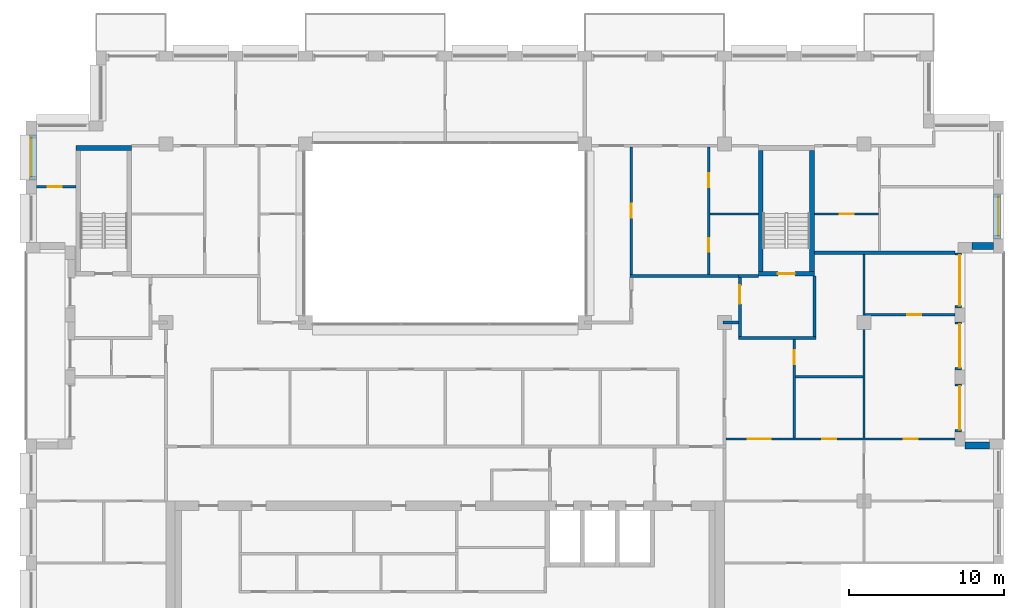
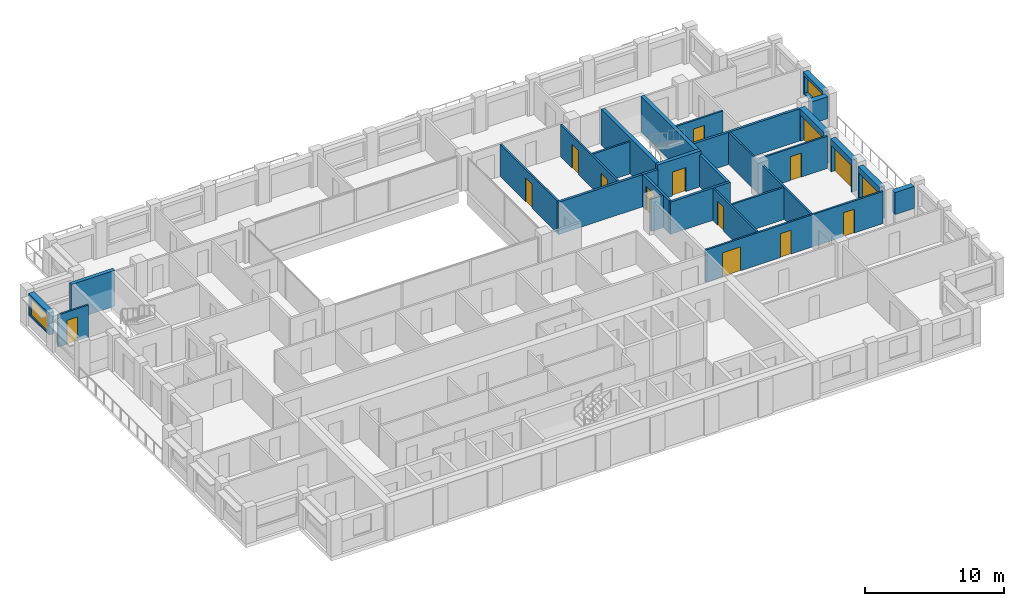
# One storey, part 12 of 15: 28 walls, 15 doors, 2 windows, 17 openings.
"""IFC4 building model written with IfcOpenShell, lengths in metres."""

from ifc_helpers import new_model, si_unit, direction, frame, frame_2d, origin, place, context, subcontext, project, spatial, rectangle, extrude, material, layer, layer_set, type_object, element, fill, save


model = new_model("IFC4")

# Units and contexts
model_context = context("Model", 3, precision=1e-05, world=origin(), true_north=direction((0.0, 1.0)))
body_context = subcontext(model_context, "Body", "Model", "MODEL_VIEW")
ifc_project = project(units=[si_unit("LENGTHUNIT", "METRE"), si_unit("AREAUNIT", "SQUARE_METRE"), si_unit("VOLUMEUNIT", "CUBIC_METRE"), si_unit("PLANEANGLEUNIT", "RADIAN"), si_unit("MASSUNIT", "GRAM", prefix="KILO")], contexts=[model_context])

# Site, building, storey
site_placement = place(None, origin())
site = spatial("IfcSite", under=ifc_project, at=site_placement, CompositionType="ELEMENT")
building_placement = place(site_placement, origin())
building = spatial("IfcBuilding", under=site, at=building_placement, Name="Brigalow Station Residences", CompositionType="ELEMENT")
storey_placement = place(building_placement, frame((0.0, 0.0, 207.449951171875)))
storey = spatial("IfcBuildingStorey", under=building, at=storey_placement, Name="L59", CompositionType="ELEMENT", Elevation=207.449951171875)

# Wall
ifc_material_1 = material(Name="Clay brick masonry", Category="masonry")
ifc_layer_1 = layer(ifc_material_1, 0.449951171875)
ifc_layer_set_1 = layer_set([ifc_layer_1], Name="BRICK INFILL WALL 450")
wall_type_1 = type_object("IfcWallType", Name="BRICK INFILL WALL 450", PredefinedType="SOLIDWALL", material=ifc_layer_set_1)
wall_1_placement = place(storey_placement, frame((71.10009765625, 16.074951171875, 0.900146484375), z_axis=(0.0, 0.0, 1.0), x_axis=(-1.0, 0.0, 0.0)))
element("IfcWall", 1, at=wall_1_placement, inside=storey, type_object=wall_type_1, Name="L59/ewall/W-L59-11", PredefinedType="SOLIDWALL", context=body_context, shape_type="SweptSolid", body=[
    extrude(rectangle(XDim=1.60009765625, YDim=0.449951171875, at=frame_2d((0.800048828125, 0.0))), origin(), (0.0, 0.0, 1.0), 1.929931640625),
])

# Wall, opening, door
wall_2_placement = place(storey_placement, frame((69.074951171875, 16.949951171875, 0.0), z_axis=(0.0, 0.0, 1.0), x_axis=(0.0, 1.0, 0.0)))
wall_2 = element("IfcWall", 2, at=wall_2_placement, inside=storey, type_object=wall_type_1, Name="L59/ewall/W-L59-12", PredefinedType="SOLIDWALL", context=body_context, shape_type="SweptSolid", body=[
    extrude(rectangle(XDim=3.10009765625, YDim=0.449951171875, at=frame_2d((1.550048828125, 0.0))), origin(), (0.0, 0.0, 1.0), 2.830078125),
])
opening_1_placement = place(wall_2_placement, frame((0.14990234375, 0.0, 0.0)))
opening_1 = element("IfcOpeningElement", 3, at=opening_1_placement, cuts=wall_2, Name="Opening D-B2800", PredefinedType="OPENING", context=body_context, shape_type="SweptSolid", body=[
    extrude(rectangle(XDim=2.800048828125, YDim=2.300048828125, at=frame_2d((1.39990234375, 1.14990234375))), frame((0.0, 0.23486328125, 0.0), z_axis=(0.0, -1.0, 0.0), x_axis=(1.0, 0.0, 0.0)), (0.0, 0.0, 1.0), 0.469970703125),
])
ifc_material_2 = material(Name="Anodised aluminium frame with double glazing", Category="aluminium")
door_type_1 = type_object("IfcDoorType", Name="BALCONY SLIDING DOOR 2800x2300", OperationType="SLIDING_TO_LEFT", PredefinedType="DOOR", material=ifc_material_2)
door_1_placement = place(opening_1_placement, origin())
door_1 = element("IfcDoor", 4, at=door_1_placement, inside=storey, type_object=door_type_1, Name="L59/balcony-door/W-L59-12", OperationType="SLIDING_TO_LEFT", OverallHeight=2.300048828125, OverallWidth=2.800048828125, PredefinedType="DOOR", context=body_context, shape_type="SweptSolid", body=[
    extrude(rectangle(XDim=2.800048828125, YDim=2.300048828125, at=frame_2d((1.39990234375, 1.14990234375))), frame((0.0, -0.06982421875, 0.0), z_axis=(0.0, -1.0, 0.0), x_axis=(1.0, 0.0, 0.0)), (0.0, 0.0, 1.0), 0.050048828125),
])
fill(opening_1, door_1)

wall_3_placement = place(storey_placement, frame((69.074951171875, 20.949951171875, 0.0), z_axis=(0.0, 0.0, 1.0), x_axis=(0.0, 1.0, 0.0)))
wall_3 = element("IfcWall", 5, at=wall_3_placement, inside=storey, type_object=wall_type_1, Name="L59/ewall/W-L59-13", PredefinedType="SOLIDWALL", context=body_context, shape_type="SweptSolid", body=[
    extrude(rectangle(XDim=3.10009765625, YDim=0.449951171875, at=frame_2d((1.550048828125, 0.0))), origin(), (0.0, 0.0, 1.0), 2.830078125),
])
opening_2_placement = place(wall_3_placement, frame((0.14990234375, 0.0, 0.0)))
opening_2 = element("IfcOpeningElement", 6, at=opening_2_placement, cuts=wall_3, Name="Opening D-B2800", PredefinedType="OPENING", context=body_context, shape_type="SweptSolid", body=[
    extrude(rectangle(XDim=2.800048828125, YDim=2.300048828125, at=frame_2d((1.39990234375, 1.14990234375))), frame((0.0, 0.23486328125, 0.0), z_axis=(0.0, -1.0, 0.0), x_axis=(1.0, 0.0, 0.0)), (0.0, 0.0, 1.0), 0.469970703125),
])
door_2_placement = place(opening_2_placement, origin())
door_2 = element("IfcDoor", 7, at=door_2_placement, inside=storey, type_object=door_type_1, Name="L59/balcony-door/W-L59-13", OperationType="SLIDING_TO_LEFT", OverallHeight=2.300048828125, OverallWidth=2.800048828125, PredefinedType="DOOR", context=body_context, shape_type="SweptSolid", body=[
    extrude(rectangle(XDim=2.800048828125, YDim=2.300048828125, at=frame_2d((1.39990234375, 1.14990234375))), frame((0.0, -0.06982421875, 0.0), z_axis=(0.0, -1.0, 0.0), x_axis=(1.0, 0.0, 0.0)), (0.0, 0.0, 1.0), 0.050048828125),
])
fill(opening_2, door_2)

wall_4_placement = place(storey_placement, frame((69.074951171875, 24.949951171875, 0.0), z_axis=(0.0, 0.0, 1.0), x_axis=(0.0, 1.0, 0.0)))
wall_4 = element("IfcWall", 8, at=wall_4_placement, inside=storey, type_object=wall_type_1, Name="L59/ewall/W-L59-14", PredefinedType="SOLIDWALL", context=body_context, shape_type="SweptSolid", body=[
    extrude(rectangle(XDim=3.550048828125, YDim=0.449951171875, at=frame_2d((1.77490234375, 0.0))), origin(), (0.0, 0.0, 1.0), 2.830078125),
])
opening_3_placement = place(wall_4_placement, frame((0.14990234375, 0.0, 0.0)))
opening_3 = element("IfcOpeningElement", 9, at=opening_3_placement, cuts=wall_4, Name="Opening D-B3250", PredefinedType="OPENING", context=body_context, shape_type="SweptSolid", body=[
    extrude(rectangle(XDim=3.25, YDim=2.300048828125, at=frame_2d((1.625, 1.14990234375))), frame((0.0, 0.23486328125, 0.0), z_axis=(0.0, -1.0, 0.0), x_axis=(1.0, 0.0, 0.0)), (0.0, 0.0, 1.0), 0.469970703125),
])
ifc_material_3 = material(Name="Anodised aluminium frame with double glazing", Category="aluminium")
door_type_2 = type_object("IfcDoorType", Name="BALCONY SLIDING DOOR 3250x2300", OperationType="SLIDING_TO_LEFT", PredefinedType="DOOR", material=ifc_material_3)
door_3_placement = place(opening_3_placement, origin())
door_3 = element("IfcDoor", 10, at=door_3_placement, inside=storey, type_object=door_type_2, Name="L59/balcony-door/W-L59-14", OperationType="SLIDING_TO_LEFT", OverallHeight=2.300048828125, OverallWidth=3.25, PredefinedType="DOOR", context=body_context, shape_type="SweptSolid", body=[
    extrude(rectangle(XDim=3.25, YDim=2.300048828125, at=frame_2d((1.625, 1.14990234375))), frame((0.0, -0.06982421875, 0.0), z_axis=(0.0, -1.0, 0.0), x_axis=(1.0, 0.0, 0.0)), (0.0, 0.0, 1.0), 0.050048828125),
])
fill(opening_3, door_3)

# Wall
wall_5_placement = place(storey_placement, frame((69.949951171875, 28.925048828125, 0.900146484375), z_axis=(0.0, 0.0, 1.0), x_axis=(1.0, 0.0, 0.0)))
element("IfcWall", 11, at=wall_5_placement, inside=storey, type_object=wall_type_1, Name="L59/ewall/W-L59-15", PredefinedType="SOLIDWALL", context=body_context, shape_type="SweptSolid", body=[
    extrude(rectangle(XDim=1.400146484375, YDim=0.449951171875, at=frame_2d((0.7001953125, 0.0))), origin(), (0.0, 0.0, 1.0), 1.929931640625),
])

# Wall, opening, window
wall_6_placement = place(storey_placement, frame((71.574951171875, 29.39990234375, 0.900146484375), z_axis=(0.0, 0.0, 1.0), x_axis=(0.0, 1.0, 0.0)))
wall_6 = element("IfcWall", 12, at=wall_6_placement, inside=storey, type_object=wall_type_1, Name="L59/ewall/W-L59-16", PredefinedType="SOLIDWALL", context=body_context, shape_type="SweptSolid", body=[
    extrude(rectangle(XDim=2.900146484375, YDim=0.449951171875, at=frame_2d((1.4501953125, 0.0))), origin(), (0.0, 0.0, 1.0), 1.929931640625),
])
opening_4_placement = place(wall_6_placement, frame((0.199951171875, 0.0, 0.14990234375)))
opening_4 = element("IfcOpeningElement", 13, at=opening_4_placement, cuts=wall_6, Name="Opening WT-5", PredefinedType="OPENING", context=body_context, shape_type="SweptSolid", body=[
    extrude(rectangle(XDim=2.5, YDim=1.5, at=frame_2d((1.25, 0.75))), frame((0.0, 0.23486328125, 0.0), z_axis=(0.0, -1.0, 0.0), x_axis=(1.0, 0.0, 0.0)), (0.0, 0.0, 1.0), 0.469970703125),
])
ifc_material_4 = material(Name="Anodised aluminium frame with double glazing", Category="aluminium")
window_type = type_object("IfcWindowType", Name="WINDOW 2500x1500", PartitioningType="SINGLE_PANEL", PredefinedType="WINDOW", material=ifc_material_4)
window_1_placement = place(opening_4_placement, origin())
window_1 = element("IfcWindow", 14, at=window_1_placement, inside=storey, type_object=window_type, Name="L59/window/W-L59-16", OverallHeight=1.5, OverallWidth=2.5, PartitioningType="SINGLE_PANEL", PredefinedType="WINDOW", context=body_context, shape_type="SweptSolid", body=[
    extrude(rectangle(XDim=2.5, YDim=1.5, at=frame_2d((1.25, 0.75))), frame((0.0, -0.06494140625, 0.0), z_axis=(0.0, -1.0, 0.0), x_axis=(1.0, 0.0, 0.0)), (0.0, 0.0, 1.0), 0.06005859375),
])
fill(opening_4, window_1)

wall_7_placement = place(storey_placement, frame((9.425048828125, 36.10009765625, 0.900146484375), z_axis=(0.0, 0.0, 1.0), x_axis=(0.0, -1.0, 0.0)))
wall_7 = element("IfcWall", 15, at=wall_7_placement, inside=storey, type_object=wall_type_1, Name="L59/ewall/W-L59-34", PredefinedType="SOLIDWALL", context=body_context, shape_type="SweptSolid", body=[
    extrude(rectangle(XDim=2.900146484375, YDim=0.449951171875, at=frame_2d((1.4501953125, 0.0))), origin(), (0.0, 0.0, 1.0), 1.929931640625),
])
opening_5_placement = place(wall_7_placement, frame((0.199951171875, 0.0, 0.14990234375)))
opening_5 = element("IfcOpeningElement", 16, at=opening_5_placement, cuts=wall_7, Name="Opening WT-5", PredefinedType="OPENING", context=body_context, shape_type="SweptSolid", body=[
    extrude(rectangle(XDim=2.5, YDim=1.5, at=frame_2d((1.25, 0.75))), frame((0.0, 0.23486328125, 0.0), z_axis=(0.0, -1.0, 0.0), x_axis=(1.0, 0.0, 0.0)), (0.0, 0.0, 1.0), 0.469970703125),
])
window_2_placement = place(opening_5_placement, origin())
window_2 = element("IfcWindow", 17, at=window_2_placement, inside=storey, type_object=window_type, Name="L59/window/W-L59-34", OverallHeight=1.5, OverallWidth=2.5, PartitioningType="SINGLE_PANEL", PredefinedType="WINDOW", context=body_context, shape_type="SweptSolid", body=[
    extrude(rectangle(XDim=2.5, YDim=1.5, at=frame_2d((1.25, 0.75))), frame((0.0, -0.06494140625, 0.0), z_axis=(0.0, -1.0, 0.0), x_axis=(1.0, 0.0, 0.0)), (0.0, 0.0, 1.0), 0.06005859375),
])
fill(opening_5, window_2)

# Wall
ifc_material_5 = material(Name="Concrete C50", Category="concrete")
ifc_layer_2 = layer(ifc_material_5, 0.300048828125)
ifc_layer_set_2 = layer_set([ifc_layer_2], Name="CORE SHEAR WALL 300 C50")
wall_type_2 = type_object("IfcWallType", Name="CORE SHEAR WALL 300 C50", PredefinedType="SHEAR", material=ifc_layer_set_2)
wall_8_placement = place(storey_placement, frame((12.199951171875, 35.25, 0.0), z_axis=(0.0, 0.0, 1.0), x_axis=(1.0, 0.0, 0.0)))
element("IfcWall", 18, at=wall_8_placement, inside=storey, type_object=wall_type_2, Name="CORE WALL ST-S1-N L59", PredefinedType="SHEAR", context=body_context, shape_type="SweptSolid", body=[
    extrude(rectangle(XDim=3.60009765625, YDim=0.300048828125, at=frame_2d((1.800048828125, 0.0))), origin(), (0.0, 0.0, 1.0), 3.150146484375),
])

# Wall, opening, door
wall_9_placement = place(storey_placement, frame((56.199951171875, 27.14990234375, 0.0), z_axis=(0.0, 0.0, 1.0), x_axis=(1.0, 0.0, 0.0)))
wall_9 = element("IfcWall", 19, at=wall_9_placement, inside=storey, type_object=wall_type_2, Name="CORE WALL ST-S3-S L59", PredefinedType="SHEAR", context=body_context, shape_type="SweptSolid", body=[
    extrude(rectangle(XDim=3.60009765625, YDim=0.300048828125, at=frame_2d((1.800048828125, 0.0))), origin(), (0.0, 0.0, 1.0), 3.150146484375),
])
opening_6_placement = place(wall_9_placement, frame((1.25, 0.0, 0.0)))
opening_6 = element("IfcOpeningElement", 20, at=opening_6_placement, cuts=wall_9, Name="Opening D-5018", PredefinedType="OPENING", context=body_context, shape_type="SweptSolid", body=[
    extrude(rectangle(XDim=1.10009765625, YDim=2.10009765625, at=frame_2d((0.550048828125, 1.050048828125))), frame((0.0, 0.16015625, 0.0), z_axis=(0.0, -1.0, 0.0), x_axis=(1.0, 0.0, 0.0)), (0.0, 0.0, 1.0), 0.320068359375),
])
ifc_material_6 = material(Name="Steel fire door leaf in steel frame", Category="steel")
door_type_3 = type_object("IfcDoorType", Name="STAIR DOOR 1100 x 2100 FD60S", OperationType="SINGLE_SWING_LEFT", PredefinedType="DOOR", material=ifc_material_6)
door_4_placement = place(opening_6_placement, origin())
door_4 = element("IfcDoor", 21, at=door_4_placement, inside=storey, type_object=door_type_3, Name="D-5018", OperationType="SINGLE_SWING_LEFT", OverallHeight=2.10009765625, OverallWidth=1.10009765625, PredefinedType="DOOR", context=body_context, shape_type="SweptSolid", body=[
    extrude(rectangle(XDim=1.10009765625, YDim=2.10009765625, at=frame_2d((0.550048828125, 1.050048828125))), frame((0.0, 0.02490234375, 0.0), z_axis=(0.0, -1.0, 0.0), x_axis=(1.0, 0.0, 0.0)), (0.0, 0.0, 1.0), 0.050048828125),
])
fill(opening_6, door_4)

# Walls
for number, where, z_axis, x_axis, name in (
    (22, (56.35009765625, 27.300048828125, 0.0), (0.0, 0.0, 1.0), (0.0, 1.0, 0.0), "CORE WALL ST-S3-W L59"),
    (23, (59.64990234375, 27.300048828125, 0.0), (0.0, 0.0, 1.0), (0.0, 1.0, 0.0), "CORE WALL ST-S3-E L59"),
):
    element("IfcWall", number, at=place(storey_placement, frame(where, z_axis=z_axis, x_axis=x_axis)), inside=storey, type_object=wall_type_2, Name=name, PredefinedType="SHEAR", context=body_context, shape_type="SweptSolid", body=[
        extrude(rectangle(XDim=7.800048828125, YDim=0.300048828125, at=frame_2d((3.89990234375, 0.0))), origin(), (0.0, 0.0, 1.0), 3.150146484375),
    ])
ifc_material_7 = material(Name="Concrete blockwork", Category="masonry")
ifc_layer_3 = layer(ifc_material_7, 0.199951171875)
ifc_layer_set_3 = layer_set([ifc_layer_3], Name="FIRE RATED CORE PARTITION 200")
wall_type_3 = type_object("IfcWallType", Name="FIRE RATED CORE PARTITION 200", PredefinedType="PARTITIONING", material=ifc_layer_set_3)
wall_10_placement = place(storey_placement, frame((54.89990234375, 23.0, 0.0), z_axis=(0.0, 0.0, 1.0), x_axis=(1.0, 0.0, 0.0)))
element("IfcWall", 24, at=wall_10_placement, inside=storey, type_object=wall_type_3, Name="PW-5024", PredefinedType="PARTITIONING", context=body_context, shape_type="SweptSolid", body=[
    extrude(rectangle(XDim=5.0, YDim=0.199951171875, at=frame_2d((2.5, 0.0))), origin(), (0.0, 0.0, 1.0), 2.830078125),
])
wall_11_placement = place(storey_placement, frame((54.89990234375, 27.0, 0.0), z_axis=(0.0, 0.0, 1.0), x_axis=(1.0, 0.0, 0.0)))
element("IfcWall", 25, at=wall_11_placement, inside=storey, type_object=wall_type_3, Name="PW-5026", PredefinedType="PARTITIONING", context=body_context, shape_type="SweptSolid", body=[
    extrude(rectangle(XDim=1.300048828125, YDim=0.199951171875, at=frame_2d((0.64990234375, 0.0))), origin(), (0.0, 0.0, 1.0), 2.830078125),
])

# Wall, opening, door
wall_12_placement = place(storey_placement, frame((55.0, 23.10009765625, 0.0), z_axis=(0.0, 0.0, 1.0), x_axis=(0.0, 1.0, 0.0)))
wall_12 = element("IfcWall", 26, at=wall_12_placement, inside=storey, type_object=wall_type_3, Name="PW-5036", PredefinedType="PARTITIONING", context=body_context, shape_type="SweptSolid", body=[
    extrude(rectangle(XDim=3.7998046875, YDim=0.199951171875, at=frame_2d((1.89990234375, 0.0))), origin(), (0.0, 0.0, 1.0), 2.830078125),
])
opening_7_placement = place(wall_12_placement, frame((2.10009765625, 0.0, 0.0)))
opening_7 = element("IfcOpeningElement", 27, at=opening_7_placement, cuts=wall_12, Name="Opening D-5019", PredefinedType="OPENING", context=body_context, shape_type="SweptSolid", body=[
    extrude(rectangle(XDim=1.199951171875, YDim=2.10009765625, at=frame_2d((0.60009765625, 1.050048828125))), frame((0.0, 0.10986328125, 0.0), z_axis=(0.0, -1.0, 0.0), x_axis=(1.0, 0.0, 0.0)), (0.0, 0.0, 1.0), 0.219970703125),
])
ifc_material_8 = material(Name="Steel fire door leaf in steel frame", Category="steel")
door_type_4 = type_object("IfcDoorType", Name="STAIR LOBBY DOOR 1200 x 2100 FD60S", OperationType="SINGLE_SWING_LEFT", PredefinedType="DOOR", material=ifc_material_8)
door_5_placement = place(opening_7_placement, frame((1.199951171875, 0.0, 0.0), z_axis=(0.0, 0.0, 1.0), x_axis=(-1.0, 0.0, 0.0)))
door_5 = element("IfcDoor", 28, at=door_5_placement, inside=storey, type_object=door_type_4, Name="D-5019", OperationType="SINGLE_SWING_LEFT", OverallHeight=2.10009765625, OverallWidth=1.199951171875, PredefinedType="DOOR", context=body_context, shape_type="SweptSolid", body=[
    extrude(rectangle(XDim=1.199951171875, YDim=2.10009765625, at=frame_2d((0.60009765625, 1.050048828125))), frame((0.0, 0.02490234375, 0.0), z_axis=(0.0, -1.0, 0.0), x_axis=(1.0, 0.0, 0.0)), (0.0, 0.0, 1.0), 0.050048828125),
])
fill(opening_7, door_5)

# Walls
wall_13_placement = place(storey_placement, frame((59.800048828125, 23.10009765625, 0.0), z_axis=(0.0, 0.0, 1.0), x_axis=(0.0, 1.0, 0.0)))
element("IfcWall", 29, at=wall_13_placement, inside=storey, type_object=wall_type_3, Name="PW-5037", PredefinedType="PARTITIONING", context=body_context, shape_type="SweptSolid", body=[
    extrude(rectangle(XDim=3.89990234375, YDim=0.199951171875, at=frame_2d((1.949951171875, 0.0))), origin(), (0.0, 0.0, 1.0), 2.830078125),
])
ifc_material_9 = material(Name="Plasterboard on steel stud partition", Category="steel")
ifc_layer_4 = layer(ifc_material_9, 0.14990234375)
ifc_layer_set_4 = layer_set([ifc_layer_4], Name="FLAT PARTITION 150")
wall_type_4 = type_object("IfcWallType", Name="FLAT PARTITION 150", PredefinedType="PARTITIONING", material=ifc_layer_set_4)
wall_14_placement = place(storey_placement, frame((58.574951171875, 20.5, 0.0), z_axis=(0.0, 0.0, 1.0), x_axis=(1.0, 0.0, 0.0)))
element("IfcWall", 30, at=wall_14_placement, inside=storey, type_object=wall_type_4, Name="PW-4B09", PredefinedType="PARTITIONING", context=body_context, shape_type="SweptSolid", body=[
    extrude(rectangle(XDim=4.35009765625, YDim=0.14990234375, at=frame_2d((2.175048828125, 0.0))), origin(), (0.0, 0.0, 1.0), 2.830078125),
])
wall_15_placement = place(storey_placement, frame((53.074951171875, 31.0, 0.0), z_axis=(0.0, 0.0, 1.0), x_axis=(1.0, 0.0, 0.0)))
element("IfcWall", 31, at=wall_15_placement, inside=storey, type_object=wall_type_4, Name="PW-4B17", PredefinedType="PARTITIONING", context=body_context, shape_type="SweptSolid", body=[
    extrude(rectangle(XDim=3.125, YDim=0.14990234375, at=frame_2d((1.5625, 0.0))), origin(), (0.0, 0.0, 1.0), 2.830078125),
])

# Wall, opening, door
wall_16_placement = place(storey_placement, frame((59.800048828125, 31.0, 0.0), z_axis=(0.0, 0.0, 1.0), x_axis=(1.0, 0.0, 0.0)))
wall_16 = element("IfcWall", 32, at=wall_16_placement, inside=storey, type_object=wall_type_4, Name="PW-4B18", PredefinedType="PARTITIONING", context=body_context, shape_type="SweptSolid", body=[
    extrude(rectangle(XDim=4.125, YDim=0.14990234375, at=frame_2d((2.0625, 0.0))), origin(), (0.0, 0.0, 1.0), 2.830078125),
])
opening_8_placement = place(wall_16_placement, frame((1.64990234375, 0.0, 0.0)))
opening_8 = element("IfcOpeningElement", 33, at=opening_8_placement, cuts=wall_16, Name="Opening D-4B30", PredefinedType="OPENING", context=body_context, shape_type="SweptSolid", body=[
    extrude(rectangle(XDim=0.89990234375, YDim=2.10009765625, at=frame_2d((0.449951171875, 1.050048828125))), frame((0.0, 0.0849609375, 0.0), z_axis=(0.0, -1.0, 0.0), x_axis=(1.0, 0.0, 0.0)), (0.0, 0.0, 1.0), 0.169921875),
])
ifc_material_10 = material(Name="Solid-core timber door leaf", Category="wood")
door_type_5 = type_object("IfcDoorType", Name="INTERNAL DOOR 900 x 2100", OperationType="SINGLE_SWING_LEFT", PredefinedType="DOOR", material=ifc_material_10)
door_6_placement = place(opening_8_placement, frame((0.89990234375, 0.0, 0.0), z_axis=(0.0, 0.0, 1.0), x_axis=(-1.0, 0.0, 0.0)))
door_6 = element("IfcDoor", 34, at=door_6_placement, inside=storey, type_object=door_type_5, Name="D-4B30", OperationType="SINGLE_SWING_LEFT", OverallHeight=2.10009765625, OverallWidth=0.89990234375, PredefinedType="DOOR", context=body_context, shape_type="SweptSolid", body=[
    extrude(rectangle(XDim=0.89990234375, YDim=2.10009765625, at=frame_2d((0.449951171875, 1.050048828125))), frame((0.0, 0.02490234375, 0.0), z_axis=(0.0, -1.0, 0.0), x_axis=(1.0, 0.0, 0.0)), (0.0, 0.0, 1.0), 0.050048828125),
])
fill(opening_8, door_6)

wall_17_placement = place(storey_placement, frame((9.64990234375, 32.75, 0.0), z_axis=(0.0, 0.0, 1.0), x_axis=(1.0, 0.0, 0.0)))
wall_17 = element("IfcWall", 35, at=wall_17_placement, inside=storey, type_object=wall_type_4, Name="PW-4B22", PredefinedType="PARTITIONING", context=body_context, shape_type="SweptSolid", body=[
    extrude(rectangle(XDim=2.550048828125, YDim=0.14990234375, at=frame_2d((1.27490234375, 0.0))), origin(), (0.0, 0.0, 1.0), 2.830078125),
])
opening_9_placement = place(wall_17_placement, frame((0.75, 0.0, 0.0)))
opening_9 = element("IfcOpeningElement", 36, at=opening_9_placement, cuts=wall_17, Name="Opening D-4B17", PredefinedType="OPENING", context=body_context, shape_type="SweptSolid", body=[
    extrude(rectangle(XDim=0.89990234375, YDim=2.10009765625, at=frame_2d((0.449951171875, 1.050048828125))), frame((0.0, 0.0849609375, 0.0), z_axis=(0.0, -1.0, 0.0), x_axis=(1.0, 0.0, 0.0)), (0.0, 0.0, 1.0), 0.169921875),
])
door_7_placement = place(opening_9_placement, frame((0.89990234375, 0.0, 0.0), z_axis=(0.0, 0.0, 1.0), x_axis=(-1.0, 0.0, 0.0)))
door_7 = element("IfcDoor", 37, at=door_7_placement, inside=storey, type_object=door_type_5, Name="D-4B17", OperationType="SINGLE_SWING_RIGHT", OverallHeight=2.10009765625, OverallWidth=0.89990234375, PredefinedType="DOOR", context=body_context, shape_type="SweptSolid", body=[
    extrude(rectangle(XDim=0.89990234375, YDim=2.10009765625, at=frame_2d((0.449951171875, 1.050048828125))), frame((0.0, 0.02490234375, 0.0), z_axis=(0.0, -1.0, 0.0), x_axis=(1.0, 0.0, 0.0)), (0.0, 0.0, 1.0), 0.050048828125),
])
fill(opening_9, door_7)

# Wall, openings, doors
wall_18_placement = place(storey_placement, frame((54.10009765625, 16.5, 0.0), z_axis=(0.0, 0.0, 1.0), x_axis=(1.0, 0.0, 0.0)))
wall_18 = element("IfcWall", 38, at=wall_18_placement, inside=storey, type_object=wall_type_4, Name="PW-4B25", PredefinedType="PARTITIONING", context=body_context, shape_type="SweptSolid", body=[
    extrude(rectangle(XDim=14.75, YDim=0.14990234375, at=frame_2d((7.375, 0.0))), origin(), (0.0, 0.0, 1.0), 2.830078125),
])
opening_10_placement = place(wall_18_placement, frame((1.39990234375, 0.0, 0.0)))
opening_10 = element("IfcOpeningElement", 39, at=opening_10_placement, cuts=wall_18, Name="Opening D-4B32", PredefinedType="OPENING", context=body_context, shape_type="SweptSolid", body=[
    extrude(rectangle(XDim=1.5, YDim=2.10009765625, at=frame_2d((0.75, 1.050048828125))), frame((0.0, 0.0849609375, 0.0), z_axis=(0.0, -1.0, 0.0), x_axis=(1.0, 0.0, 0.0)), (0.0, 0.0, 1.0), 0.169921875),
])
opening_11_placement = place(wall_18_placement, frame((6.199951171875, 0.0, 0.0)))
opening_11 = element("IfcOpeningElement", 40, at=opening_11_placement, cuts=wall_18, Name="Opening D-4B39", PredefinedType="OPENING", context=body_context, shape_type="SweptSolid", body=[
    extrude(rectangle(XDim=0.89990234375, YDim=2.10009765625, at=frame_2d((0.449951171875, 1.050048828125))), frame((0.0, 0.0849609375, 0.0), z_axis=(0.0, -1.0, 0.0), x_axis=(1.0, 0.0, 0.0)), (0.0, 0.0, 1.0), 0.169921875),
])
opening_12_placement = place(wall_18_placement, frame((11.449951171875, 0.0, 0.0)))
opening_12 = element("IfcOpeningElement", 41, at=opening_12_placement, cuts=wall_18, Name="Opening D-4B40", PredefinedType="OPENING", context=body_context, shape_type="SweptSolid", body=[
    extrude(rectangle(XDim=0.89990234375, YDim=2.10009765625, at=frame_2d((0.449951171875, 1.050048828125))), frame((0.0, 0.0849609375, 0.0), z_axis=(0.0, -1.0, 0.0), x_axis=(1.0, 0.0, 0.0)), (0.0, 0.0, 1.0), 0.169921875),
])
door_8_placement = place(opening_11_placement, origin())
door_8 = element("IfcDoor", 42, at=door_8_placement, inside=storey, type_object=door_type_5, Name="D-4B39", OperationType="SINGLE_SWING_RIGHT", OverallHeight=2.10009765625, OverallWidth=0.89990234375, PredefinedType="DOOR", context=body_context, shape_type="SweptSolid", body=[
    extrude(rectangle(XDim=0.89990234375, YDim=2.10009765625, at=frame_2d((0.449951171875, 1.050048828125))), frame((0.0, 0.02490234375, 0.0), z_axis=(0.0, -1.0, 0.0), x_axis=(1.0, 0.0, 0.0)), (0.0, 0.0, 1.0), 0.050048828125),
])
fill(opening_11, door_8)
door_9_placement = place(opening_12_placement, frame((0.89990234375, 0.0, 0.0), z_axis=(0.0, 0.0, 1.0), x_axis=(-1.0, 0.0, 0.0)))
door_9 = element("IfcDoor", 43, at=door_9_placement, inside=storey, type_object=door_type_5, Name="D-4B40", OperationType="SINGLE_SWING_LEFT", OverallHeight=2.10009765625, OverallWidth=0.89990234375, PredefinedType="DOOR", context=body_context, shape_type="SweptSolid", body=[
    extrude(rectangle(XDim=0.89990234375, YDim=2.10009765625, at=frame_2d((0.449951171875, 1.050048828125))), frame((0.0, 0.02490234375, 0.0), z_axis=(0.0, -1.0, 0.0), x_axis=(1.0, 0.0, 0.0)), (0.0, 0.0, 1.0), 0.050048828125),
])
fill(opening_12, door_9)
ifc_material_11 = material(Name="Solid-core timber door leaf", Category="wood")
door_type_6 = type_object("IfcDoorType", Name="INTERNAL DOUBLE DOOR 1500 x 2100", OperationType="DOUBLE_DOOR_SINGLE_SWING", PredefinedType="DOOR", material=ifc_material_11)
door_10_placement = place(opening_10_placement, origin())
door_10 = element("IfcDoor", 44, at=door_10_placement, inside=storey, type_object=door_type_6, Name="D-4B32", OperationType="DOUBLE_DOOR_SINGLE_SWING", OverallHeight=2.10009765625, OverallWidth=1.5, PredefinedType="DOOR", context=body_context, shape_type="SweptSolid", body=[
    extrude(rectangle(XDim=1.5, YDim=2.10009765625, at=frame_2d((0.75, 1.050048828125))), frame((0.0, 0.02490234375, 0.0), z_axis=(0.0, -1.0, 0.0), x_axis=(1.0, 0.0, 0.0)), (0.0, 0.0, 1.0), 0.050048828125),
])
fill(opening_10, door_10)

# Wall, opening, door
wall_19_placement = place(storey_placement, frame((63.074951171875, 24.5, 0.0), z_axis=(0.0, 0.0, 1.0), x_axis=(1.0, 0.0, 0.0)))
wall_19 = element("IfcWall", 45, at=wall_19_placement, inside=storey, type_object=wall_type_4, Name="PW-4B26", PredefinedType="PARTITIONING", context=body_context, shape_type="SweptSolid", body=[
    extrude(rectangle(XDim=5.775146484375, YDim=0.14990234375, at=frame_2d((2.8876953125, 0.0))), origin(), (0.0, 0.0, 1.0), 2.830078125),
])
opening_13_placement = place(wall_19_placement, frame((2.699951171875, 0.0, 0.0)))
opening_13 = element("IfcOpeningElement", 46, at=opening_13_placement, cuts=wall_19, Name="Opening D-4B41", PredefinedType="OPENING", context=body_context, shape_type="SweptSolid", body=[
    extrude(rectangle(XDim=0.89990234375, YDim=2.10009765625, at=frame_2d((0.449951171875, 1.050048828125))), frame((0.0, 0.0849609375, 0.0), z_axis=(0.0, -1.0, 0.0), x_axis=(1.0, 0.0, 0.0)), (0.0, 0.0, 1.0), 0.169921875),
])
door_11_placement = place(opening_13_placement, origin())
door_11 = element("IfcDoor", 47, at=door_11_placement, inside=storey, type_object=door_type_5, Name="D-4B41", OperationType="SINGLE_SWING_RIGHT", OverallHeight=2.10009765625, OverallWidth=0.89990234375, PredefinedType="DOOR", context=body_context, shape_type="SweptSolid", body=[
    extrude(rectangle(XDim=0.89990234375, YDim=2.10009765625, at=frame_2d((0.449951171875, 1.050048828125))), frame((0.0, 0.02490234375, 0.0), z_axis=(0.0, -1.0, 0.0), x_axis=(1.0, 0.0, 0.0)), (0.0, 0.0, 1.0), 0.050048828125),
])
fill(opening_13, door_11)

wall_20_placement = place(storey_placement, frame((48.0, 27.10009765625, 0.0), z_axis=(0.0, 0.0, 1.0), x_axis=(0.0, 1.0, 0.0)))
wall_20 = element("IfcWall", 48, at=wall_20_placement, inside=storey, type_object=wall_type_4, Name="PW-4B35", PredefinedType="PARTITIONING", context=body_context, shape_type="SweptSolid", body=[
    extrude(rectangle(XDim=8.224853515625, YDim=0.14990234375, at=frame_2d((4.1123046875, 0.0))), origin(), (0.0, 0.0, 1.0), 2.830078125),
])
opening_14_placement = place(wall_20_placement, frame((3.64990234375, 0.0, 0.0)))
opening_14 = element("IfcOpeningElement", 49, at=opening_14_placement, cuts=wall_20, Name="Opening D-4B21", PredefinedType="OPENING", context=body_context, shape_type="SweptSolid", body=[
    extrude(rectangle(XDim=0.89990234375, YDim=2.10009765625, at=frame_2d((0.449951171875, 1.050048828125))), frame((0.0, 0.0849609375, 0.0), z_axis=(0.0, -1.0, 0.0), x_axis=(1.0, 0.0, 0.0)), (0.0, 0.0, 1.0), 0.169921875),
])
door_12_placement = place(opening_14_placement, origin())
door_12 = element("IfcDoor", 50, at=door_12_placement, inside=storey, type_object=door_type_5, Name="D-4B21", OperationType="SINGLE_SWING_RIGHT", OverallHeight=2.10009765625, OverallWidth=0.89990234375, PredefinedType="DOOR", context=body_context, shape_type="SweptSolid", body=[
    extrude(rectangle(XDim=0.89990234375, YDim=2.10009765625, at=frame_2d((0.449951171875, 1.050048828125))), frame((0.0, 0.02490234375, 0.0), z_axis=(0.0, -1.0, 0.0), x_axis=(1.0, 0.0, 0.0)), (0.0, 0.0, 1.0), 0.050048828125),
])
fill(opening_14, door_12)

# Wall, openings, doors
wall_21_placement = place(storey_placement, frame((53.0, 27.10009765625, 0.0), z_axis=(0.0, 0.0, 1.0), x_axis=(0.0, 1.0, 0.0)))
wall_21 = element("IfcWall", 51, at=wall_21_placement, inside=storey, type_object=wall_type_4, Name="PW-4B44", PredefinedType="PARTITIONING", context=body_context, shape_type="SweptSolid", body=[
    extrude(rectangle(XDim=8.224853515625, YDim=0.14990234375, at=frame_2d((4.1123046875, 0.0))), origin(), (0.0, 0.0, 1.0), 2.830078125),
])
opening_15_placement = place(wall_21_placement, frame((1.449951171875, 0.0, 0.0)))
opening_15 = element("IfcOpeningElement", 52, at=opening_15_placement, cuts=wall_21, Name="Opening D-4B24", PredefinedType="OPENING", context=body_context, shape_type="SweptSolid", body=[
    extrude(rectangle(XDim=0.89990234375, YDim=2.10009765625, at=frame_2d((0.449951171875, 1.050048828125))), frame((0.0, 0.0849609375, 0.0), z_axis=(0.0, -1.0, 0.0), x_axis=(1.0, 0.0, 0.0)), (0.0, 0.0, 1.0), 0.169921875),
])
opening_16_placement = place(wall_21_placement, frame((5.625, 0.0, 0.0)))
opening_16 = element("IfcOpeningElement", 53, at=opening_16_placement, cuts=wall_21, Name="Opening D-4B25", PredefinedType="OPENING", context=body_context, shape_type="SweptSolid", body=[
    extrude(rectangle(XDim=0.89990234375, YDim=2.10009765625, at=frame_2d((0.449951171875, 1.050048828125))), frame((0.0, 0.0849609375, 0.0), z_axis=(0.0, -1.0, 0.0), x_axis=(1.0, 0.0, 0.0)), (0.0, 0.0, 1.0), 0.169921875),
])
door_13_placement = place(opening_15_placement, frame((0.89990234375, 0.0, 0.0), z_axis=(0.0, 0.0, 1.0), x_axis=(-1.0, 0.0, 0.0)))
door_13 = element("IfcDoor", 54, at=door_13_placement, inside=storey, type_object=door_type_5, Name="D-4B24", OperationType="SINGLE_SWING_RIGHT", OverallHeight=2.10009765625, OverallWidth=0.89990234375, PredefinedType="DOOR", context=body_context, shape_type="SweptSolid", body=[
    extrude(rectangle(XDim=0.89990234375, YDim=2.10009765625, at=frame_2d((0.449951171875, 1.050048828125))), frame((0.0, 0.02490234375, 0.0), z_axis=(0.0, -1.0, 0.0), x_axis=(1.0, 0.0, 0.0)), (0.0, 0.0, 1.0), 0.050048828125),
])
fill(opening_15, door_13)
door_14_placement = place(opening_16_placement, frame((0.89990234375, 0.0, 0.0), z_axis=(0.0, 0.0, 1.0), x_axis=(-1.0, 0.0, 0.0)))
door_14 = element("IfcDoor", 55, at=door_14_placement, inside=storey, type_object=door_type_5, Name="D-4B25", OperationType="SINGLE_SWING_RIGHT", OverallHeight=2.10009765625, OverallWidth=0.89990234375, PredefinedType="DOOR", context=body_context, shape_type="SweptSolid", body=[
    extrude(rectangle(XDim=0.89990234375, YDim=2.10009765625, at=frame_2d((0.449951171875, 1.050048828125))), frame((0.0, 0.02490234375, 0.0), z_axis=(0.0, -1.0, 0.0), x_axis=(1.0, 0.0, 0.0)), (0.0, 0.0, 1.0), 0.050048828125),
])
fill(opening_16, door_14)

# Wall
wall_22_placement = place(storey_placement, frame((63.0, 16.574951171875, 0.0), z_axis=(0.0, 0.0, 1.0), x_axis=(0.0, 1.0, 0.0)))
element("IfcWall", 56, at=wall_22_placement, inside=storey, type_object=wall_type_4, Name="PW-4B50", PredefinedType="PARTITIONING", context=body_context, shape_type="SweptSolid", body=[
    extrude(rectangle(XDim=11.824951171875, YDim=0.14990234375, at=frame_2d((5.91259765625, 0.0))), origin(), (0.0, 0.0, 1.0), 2.830078125),
])

# Wall, opening, door
wall_23_placement = place(storey_placement, frame((58.5, 16.574951171875, 0.0), z_axis=(0.0, 0.0, 1.0), x_axis=(0.0, 1.0, 0.0)))
wall_23 = element("IfcWall", 57, at=wall_23_placement, inside=storey, type_object=wall_type_4, Name="PW-4B51", PredefinedType="PARTITIONING", context=body_context, shape_type="SweptSolid", body=[
    extrude(rectangle(XDim=6.324951171875, YDim=0.14990234375, at=frame_2d((3.16259765625, 0.0))), origin(), (0.0, 0.0, 1.0), 2.830078125),
])
opening_17_placement = place(wall_23_placement, frame((4.75, 0.0, 0.0)))
opening_17 = element("IfcOpeningElement", 58, at=opening_17_placement, cuts=wall_23, Name="Opening D-4B33", PredefinedType="OPENING", context=body_context, shape_type="SweptSolid", body=[
    extrude(rectangle(XDim=0.89990234375, YDim=2.10009765625, at=frame_2d((0.449951171875, 1.050048828125))), frame((0.0, 0.0849609375, 0.0), z_axis=(0.0, -1.0, 0.0), x_axis=(1.0, 0.0, 0.0)), (0.0, 0.0, 1.0), 0.169921875),
])
door_15_placement = place(opening_17_placement, frame((0.89990234375, 0.0, 0.0), z_axis=(0.0, 0.0, 1.0), x_axis=(-1.0, 0.0, 0.0)))
door_15 = element("IfcDoor", 59, at=door_15_placement, inside=storey, type_object=door_type_5, Name="D-4B33", OperationType="SINGLE_SWING_LEFT", OverallHeight=2.10009765625, OverallWidth=0.89990234375, PredefinedType="DOOR", context=body_context, shape_type="SweptSolid", body=[
    extrude(rectangle(XDim=0.89990234375, YDim=2.10009765625, at=frame_2d((0.449951171875, 1.050048828125))), frame((0.0, 0.02490234375, 0.0), z_axis=(0.0, -1.0, 0.0), x_axis=(1.0, 0.0, 0.0)), (0.0, 0.0, 1.0), 0.050048828125),
])
fill(opening_17, door_15)

# Walls
ifc_material_12 = material(Name="Plasterboard on steel stud partition", Category="steel")
ifc_layer_5 = layer(ifc_material_12, 0.199951171875)
ifc_layer_set_5 = layer_set([ifc_layer_5], Name="PARTY AND CORRIDOR WALL 200")
wall_type_5 = type_object("IfcWallType", Name="PARTY AND CORRIDOR WALL 200", PredefinedType="PARTITIONING", material=ifc_layer_set_5)
wall_24_placement = place(storey_placement, frame((53.89990234375, 24.0, 0.0), z_axis=(0.0, 0.0, 1.0), x_axis=(1.0, 0.0, 0.0)))
element("IfcWall", 60, at=wall_24_placement, inside=storey, type_object=wall_type_5, Name="PW-4B04", PredefinedType="PARTITIONING", context=body_context, shape_type="SweptSolid", body=[
    extrude(rectangle(XDim=1.0, YDim=0.199951171875, at=frame_2d((0.5, 0.0))), origin(), (0.0, 0.0, 1.0), 2.830078125),
])
wall_25_placement = place(storey_placement, frame((47.925048828125, 27.0, 0.0), z_axis=(0.0, 0.0, 1.0), x_axis=(1.0, 0.0, 0.0)))
element("IfcWall", 61, at=wall_25_placement, inside=storey, type_object=wall_type_5, Name="PW-4B07", PredefinedType="PARTITIONING", context=body_context, shape_type="SweptSolid", body=[
    extrude(rectangle(XDim=6.974853515625, YDim=0.199951171875, at=frame_2d((3.4873046875, 0.0))), origin(), (0.0, 0.0, 1.0), 2.830078125),
])
wall_26_placement = place(storey_placement, frame((59.800048828125, 28.5, 0.0), z_axis=(0.0, 0.0, 1.0), x_axis=(1.0, 0.0, 0.0)))
element("IfcWall", 62, at=wall_26_placement, inside=storey, type_object=wall_type_5, Name="PW-4B24", PredefinedType="PARTITIONING", context=body_context, shape_type="SweptSolid", body=[
    extrude(rectangle(XDim=9.050048828125, YDim=0.199951171875, at=frame_2d((4.52490234375, 0.0))), origin(), (0.0, 0.0, 1.0), 2.830078125),
])

save(model, "model.ifc")
